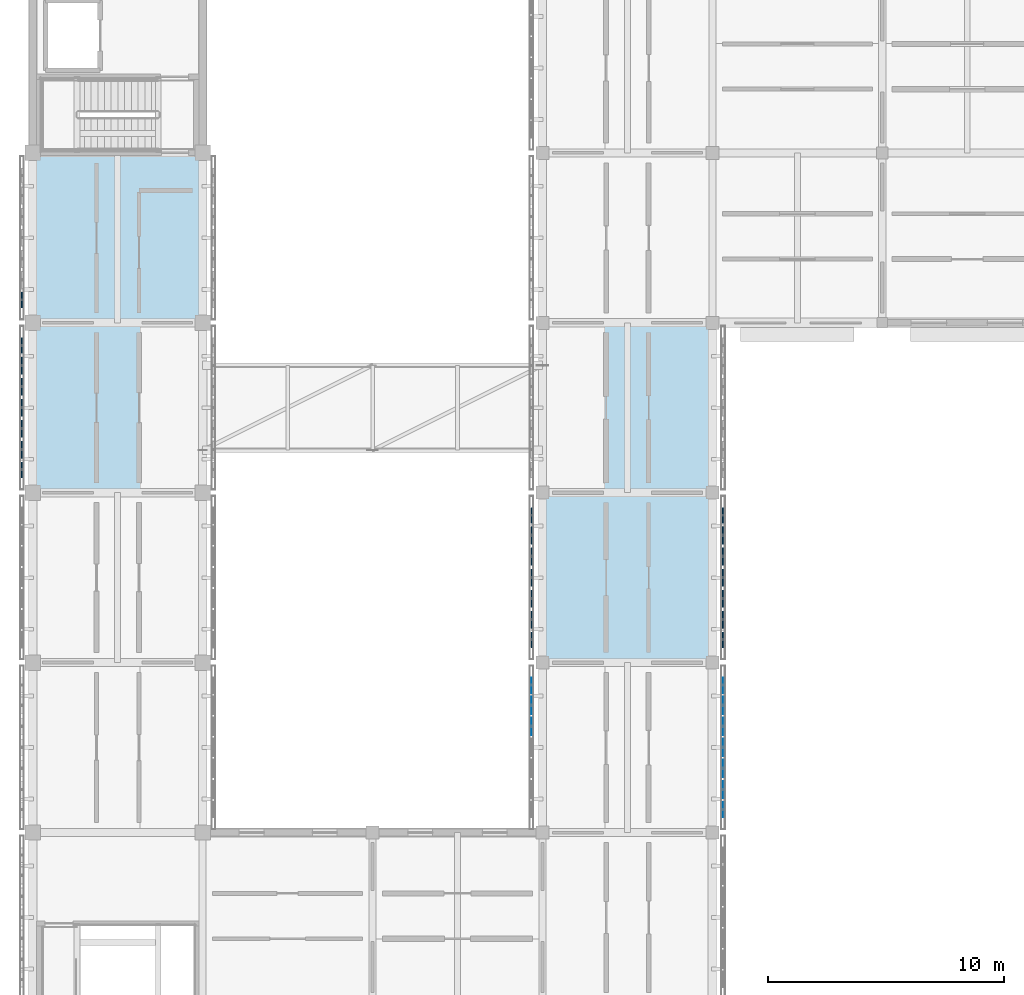
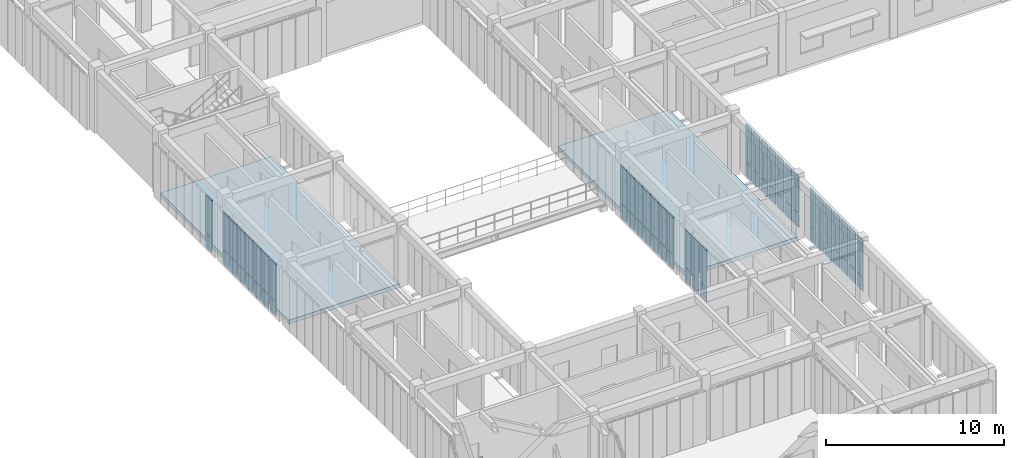
# One storey, part 50 of 91: 64 plates, 2 slabs, 6 elements without a shape of their own.
"""IFC4 building model written with IfcOpenShell, lengths in metres."""

from ifc_helpers import new_model, si_unit, direction, frame, origin, origin_2d, place, context, subcontext, project, spatial, polyline, rectangle, outline, extrude, material, layer, layer_set, type_object, element, aggregate, save


model = new_model("IFC4")

# Units and contexts
model_context = context("Model", 3, precision=1e-05, world=origin(), true_north=direction((0.0, 1.0)))
body_context = subcontext(model_context, "Body", "Model", "MODEL_VIEW")
ifc_project = project(units=[si_unit("LENGTHUNIT", "METRE"), si_unit("AREAUNIT", "SQUARE_METRE"), si_unit("VOLUMEUNIT", "CUBIC_METRE"), si_unit("PLANEANGLEUNIT", "RADIAN"), si_unit("MASSUNIT", "GRAM", prefix="KILO")], contexts=[model_context])

# Site, building, storey
site_placement = place(None, origin())
site = spatial("IfcSite", under=ifc_project, at=site_placement, CompositionType="ELEMENT")
building_placement = place(site_placement, origin())
building = spatial("IfcBuilding", under=site, at=building_placement, Name="Aldebral Square Health Centre", CompositionType="ELEMENT")
storey_placement = place(building_placement, frame((0.0, 0.0, 9.0)))
storey = spatial("IfcBuildingStorey", under=building, at=storey_placement, Name="L02", CompositionType="ELEMENT", Elevation=9.0)

# Curtain wall, plates
ifc_material_1 = material(Name="Aluminium and low-E solar glass", Category="aluminium")
curtain_wall_type = type_object("IfcCurtainWallType", Name="CW-FIN-SYS", PredefinedType="USERDEFINED", material=ifc_material_1)
curtain_wall_1_placement = place(storey_placement, origin())
curtain_wall_1 = element("IfcCurtainWall", 1, at=curtain_wall_1_placement, inside=storey, type_object=curtain_wall_type, Name="L02 V4 finned curtain wall L02-V4-03-09-W", ObjectType="SOLAR_CURTAIN_WALL", PredefinedType="USERDEFINED")
ifc_material_2 = material(Name="Solar-control low-E double glass", Category="glass")
ifc_layer_1 = layer(ifc_material_2, 0.030029296875, Name="Solar-control low-E double glass", Category="glass")
ifc_layer_set_1 = layer_set([ifc_layer_1], Name="Solar-control low-E double glass")
plate_type_1 = type_object("IfcPlateType", Name="CWP-GLZ-2", PredefinedType="CURTAIN_PANEL", material=ifc_layer_set_1)
plate_1_placement = place(storey_placement, frame((21.139892578125, 71.0341796875, 0.074951171875), z_axis=(0.0, 0.0, 1.0), x_axis=(0.0, -1.0, 0.0)))
plate_1 = element("IfcPlate", 2, at=plate_1_placement, type_object=plate_type_1, Name="CW1 panel 1.1", PredefinedType="CURTAIN_PANEL", context=body_context, shape_type="SweptSolid", body=[
    extrude(rectangle(XDim=0.6513671875, YDim=0.030029296875, at=origin_2d()), origin(), (0.0, 0.0, 1.0), 0.9375),
])
plate_2_placement = place(storey_placement, frame((21.139892578125, 71.0341796875, 1.08740234375), z_axis=(0.0, 0.0, 1.0), x_axis=(0.0, -1.0, 0.0)))
plate_2 = element("IfcPlate", 3, at=plate_2_placement, type_object=plate_type_1, Name="CW1 panel 1.2", PredefinedType="CURTAIN_PANEL", context=body_context, shape_type="SweptSolid", body=[
    extrude(rectangle(XDim=0.6513671875, YDim=0.030029296875, at=origin_2d()), origin(), (0.0, 0.0, 1.0), 2.527587890625),
])
plate_3_placement = place(storey_placement, frame((21.139892578125, 70.182861328125, 0.074951171875), z_axis=(0.0, 0.0, 1.0), x_axis=(0.0, -1.0, 0.0)))
plate_3 = element("IfcPlate", 4, at=plate_3_placement, type_object=plate_type_1, Name="CW1 panel 2.1", PredefinedType="CURTAIN_PANEL", context=body_context, shape_type="SweptSolid", body=[
    extrude(rectangle(XDim=0.7314453125, YDim=0.030029296875, at=origin_2d()), origin(), (0.0, 0.0, 1.0), 0.9375),
])
plate_4_placement = place(storey_placement, frame((21.139892578125, 70.182861328125, 1.08740234375), z_axis=(0.0, 0.0, 1.0), x_axis=(0.0, -1.0, 0.0)))
plate_4 = element("IfcPlate", 5, at=plate_4_placement, type_object=plate_type_1, Name="CW1 panel 2.2", PredefinedType="CURTAIN_PANEL", context=body_context, shape_type="SweptSolid", body=[
    extrude(rectangle(XDim=0.7314453125, YDim=0.030029296875, at=origin_2d()), origin(), (0.0, 0.0, 1.0), 2.527587890625),
])
plate_5_placement = place(storey_placement, frame((21.139892578125, 69.29150390625, 0.074951171875), z_axis=(0.0, 0.0, 1.0), x_axis=(0.0, -1.0, 0.0)))
plate_5 = element("IfcPlate", 6, at=plate_5_placement, type_object=plate_type_1, Name="CW1 panel 3.1", PredefinedType="CURTAIN_PANEL", context=body_context, shape_type="SweptSolid", body=[
    extrude(rectangle(XDim=0.7314453125, YDim=0.030029296875, at=origin_2d()), origin(), (0.0, 0.0, 1.0), 0.9375),
])
plate_6_placement = place(storey_placement, frame((21.139892578125, 69.29150390625, 1.08740234375), z_axis=(0.0, 0.0, 1.0), x_axis=(0.0, -1.0, 0.0)))
plate_6 = element("IfcPlate", 7, at=plate_6_placement, type_object=plate_type_1, Name="CW1 panel 3.2", PredefinedType="CURTAIN_PANEL", context=body_context, shape_type="SweptSolid", body=[
    extrude(rectangle(XDim=0.7314453125, YDim=0.030029296875, at=origin_2d()), origin(), (0.0, 0.0, 1.0), 2.527587890625),
])
aggregate(curtain_wall_1, [plate_1, plate_2, plate_3, plate_4, plate_5, plate_6])

curtain_wall_2_placement = place(storey_placement, origin())
curtain_wall_2 = element("IfcCurtainWall", 8, at=curtain_wall_2_placement, inside=storey, type_object=curtain_wall_type, Name="L02 V4 finned curtain wall L02-V4-03-09-E", ObjectType="SOLAR_CURTAIN_WALL", PredefinedType="USERDEFINED")
ifc_layer_2 = layer(ifc_material_2, 0.0400390625, Name="Solar-control low-E double glass", Category="glass")
ifc_layer_set_2 = layer_set([ifc_layer_2], Name="Solar-control low-E double glass")
plate_type_2 = type_object("IfcPlateType", Name="CWP-GLZ-3", PredefinedType="CURTAIN_PANEL", material=ifc_layer_set_2)
plate_7_placement = place(storey_placement, frame((29.260009765625, 65.765625, 0.074951171875), z_axis=(0.0, 0.0, 1.0), x_axis=(0.0, 1.0, 0.0)))
plate_7 = element("IfcPlate", 9, at=plate_7_placement, type_object=plate_type_2, Name="CW1 panel 1.1", PredefinedType="CURTAIN_PANEL", context=body_context, shape_type="SweptSolid", body=[
    extrude(rectangle(XDim=0.6513671875, YDim=0.0400390625, at=origin_2d()), origin(), (0.0, 0.0, 1.0), 0.9375),
])
plate_8_placement = place(storey_placement, frame((29.260009765625, 65.765625, 1.08740234375), z_axis=(0.0, 0.0, 1.0), x_axis=(0.0, 1.0, 0.0)))
plate_8 = element("IfcPlate", 10, at=plate_8_placement, type_object=plate_type_2, Name="CW1 panel 1.2", PredefinedType="CURTAIN_PANEL", context=body_context, shape_type="SweptSolid", body=[
    extrude(rectangle(XDim=0.6513671875, YDim=0.0400390625, at=origin_2d()), origin(), (0.0, 0.0, 1.0), 2.527587890625),
])
plate_9_placement = place(storey_placement, frame((29.260009765625, 66.6171875, 0.074951171875), z_axis=(0.0, 0.0, 1.0), x_axis=(0.0, 1.0, 0.0)))
plate_9 = element("IfcPlate", 11, at=plate_9_placement, type_object=plate_type_2, Name="CW1 panel 2.1", PredefinedType="CURTAIN_PANEL", context=body_context, shape_type="SweptSolid", body=[
    extrude(rectangle(XDim=0.7314453125, YDim=0.0400390625, at=origin_2d()), origin(), (0.0, 0.0, 1.0), 0.9375),
])
plate_10_placement = place(storey_placement, frame((29.260009765625, 66.6171875, 1.08740234375), z_axis=(0.0, 0.0, 1.0), x_axis=(0.0, 1.0, 0.0)))
plate_10 = element("IfcPlate", 12, at=plate_10_placement, type_object=plate_type_2, Name="CW1 panel 2.2", PredefinedType="CURTAIN_PANEL", context=body_context, shape_type="SweptSolid", body=[
    extrude(rectangle(XDim=0.7314453125, YDim=0.0400390625, at=origin_2d()), origin(), (0.0, 0.0, 1.0), 2.527587890625),
])
plate_11_placement = place(storey_placement, frame((29.260009765625, 67.508544921875, 0.074951171875), z_axis=(0.0, 0.0, 1.0), x_axis=(0.0, 1.0, 0.0)))
plate_11 = element("IfcPlate", 13, at=plate_11_placement, type_object=plate_type_2, Name="CW1 panel 3.1", PredefinedType="CURTAIN_PANEL", context=body_context, shape_type="SweptSolid", body=[
    extrude(rectangle(XDim=0.7314453125, YDim=0.0400390625, at=origin_2d()), origin(), (0.0, 0.0, 1.0), 0.9375),
])
plate_12_placement = place(storey_placement, frame((29.260009765625, 67.508544921875, 1.08740234375), z_axis=(0.0, 0.0, 1.0), x_axis=(0.0, 1.0, 0.0)))
plate_12 = element("IfcPlate", 14, at=plate_12_placement, type_object=plate_type_2, Name="CW1 panel 3.2", PredefinedType="CURTAIN_PANEL", context=body_context, shape_type="SweptSolid", body=[
    extrude(rectangle(XDim=0.7314453125, YDim=0.0400390625, at=origin_2d()), origin(), (0.0, 0.0, 1.0), 2.527587890625),
])
plate_13_placement = place(storey_placement, frame((29.260009765625, 68.39990234375, 0.074951171875), z_axis=(0.0, 0.0, 1.0), x_axis=(0.0, 1.0, 0.0)))
plate_13 = element("IfcPlate", 15, at=plate_13_placement, type_object=plate_type_2, Name="CW1 panel 4.1", PredefinedType="CURTAIN_PANEL", context=body_context, shape_type="SweptSolid", body=[
    extrude(rectangle(XDim=0.7314453125, YDim=0.0400390625, at=origin_2d()), origin(), (0.0, 0.0, 1.0), 0.9375),
])
plate_14_placement = place(storey_placement, frame((29.260009765625, 68.39990234375, 1.08740234375), z_axis=(0.0, 0.0, 1.0), x_axis=(0.0, 1.0, 0.0)))
plate_14 = element("IfcPlate", 16, at=plate_14_placement, type_object=plate_type_2, Name="CW1 panel 4.2", PredefinedType="CURTAIN_PANEL", context=body_context, shape_type="SweptSolid", body=[
    extrude(rectangle(XDim=0.7314453125, YDim=0.0400390625, at=origin_2d()), origin(), (0.0, 0.0, 1.0), 2.527587890625),
])
plate_15_placement = place(storey_placement, frame((29.260009765625, 69.29150390625, 0.074951171875), z_axis=(0.0, 0.0, 1.0), x_axis=(0.0, 1.0, 0.0)))
plate_15 = element("IfcPlate", 17, at=plate_15_placement, type_object=plate_type_2, Name="CW1 panel 5.1", PredefinedType="CURTAIN_PANEL", context=body_context, shape_type="SweptSolid", body=[
    extrude(rectangle(XDim=0.7314453125, YDim=0.0400390625, at=origin_2d()), origin(), (0.0, 0.0, 1.0), 0.9375),
])
plate_16_placement = place(storey_placement, frame((29.260009765625, 69.29150390625, 1.08740234375), z_axis=(0.0, 0.0, 1.0), x_axis=(0.0, 1.0, 0.0)))
plate_16 = element("IfcPlate", 18, at=plate_16_placement, type_object=plate_type_2, Name="CW1 panel 5.2", PredefinedType="CURTAIN_PANEL", context=body_context, shape_type="SweptSolid", body=[
    extrude(rectangle(XDim=0.7314453125, YDim=0.0400390625, at=origin_2d()), origin(), (0.0, 0.0, 1.0), 2.527587890625),
])
plate_17_placement = place(storey_placement, frame((29.260009765625, 70.182861328125, 0.074951171875), z_axis=(0.0, 0.0, 1.0), x_axis=(0.0, 1.0, 0.0)))
plate_17 = element("IfcPlate", 19, at=plate_17_placement, type_object=plate_type_2, Name="CW1 panel 6.1", PredefinedType="CURTAIN_PANEL", context=body_context, shape_type="SweptSolid", body=[
    extrude(rectangle(XDim=0.7314453125, YDim=0.0400390625, at=origin_2d()), origin(), (0.0, 0.0, 1.0), 0.9375),
])
plate_18_placement = place(storey_placement, frame((29.260009765625, 70.182861328125, 1.08740234375), z_axis=(0.0, 0.0, 1.0), x_axis=(0.0, 1.0, 0.0)))
plate_18 = element("IfcPlate", 20, at=plate_18_placement, type_object=plate_type_2, Name="CW1 panel 6.2", PredefinedType="CURTAIN_PANEL", context=body_context, shape_type="SweptSolid", body=[
    extrude(rectangle(XDim=0.7314453125, YDim=0.0400390625, at=origin_2d()), origin(), (0.0, 0.0, 1.0), 2.527587890625),
])
plate_19_placement = place(storey_placement, frame((29.260009765625, 71.0341796875, 0.074951171875), z_axis=(0.0, 0.0, 1.0), x_axis=(0.0, 1.0, 0.0)))
plate_19 = element("IfcPlate", 21, at=plate_19_placement, type_object=plate_type_2, Name="CW1 panel 7.1", PredefinedType="CURTAIN_PANEL", context=body_context, shape_type="SweptSolid", body=[
    extrude(rectangle(XDim=0.6513671875, YDim=0.0400390625, at=origin_2d()), origin(), (0.0, 0.0, 1.0), 0.9375),
])
plate_20_placement = place(storey_placement, frame((29.260009765625, 71.0341796875, 1.08740234375), z_axis=(0.0, 0.0, 1.0), x_axis=(0.0, 1.0, 0.0)))
plate_20 = element("IfcPlate", 22, at=plate_20_placement, type_object=plate_type_2, Name="CW1 panel 7.2", PredefinedType="CURTAIN_PANEL", context=body_context, shape_type="SweptSolid", body=[
    extrude(rectangle(XDim=0.6513671875, YDim=0.0400390625, at=origin_2d()), origin(), (0.0, 0.0, 1.0), 2.527587890625),
])
aggregate(curtain_wall_2, [plate_7, plate_8, plate_9, plate_10, plate_11, plate_12, plate_13, plate_14, plate_15, plate_16, plate_17, plate_18, plate_19, plate_20])

curtain_wall_3_placement = place(storey_placement, origin())
curtain_wall_3 = element("IfcCurtainWall", 23, at=curtain_wall_3_placement, inside=storey, type_object=curtain_wall_type, Name="L02 V4 finned curtain wall L02-V4-00-11-W", ObjectType="SOLAR_CURTAIN_WALL", PredefinedType="USERDEFINED")
ifc_layer_3 = layer(ifc_material_2, 0.050048828125, Name="Solar-control low-E double glass", Category="glass")
ifc_layer_set_3 = layer_set([ifc_layer_3], Name="Solar-control low-E double glass")
plate_type_3 = type_object("IfcPlateType", Name="CWP-GLZ-4", PredefinedType="CURTAIN_PANEL", material=ifc_layer_set_3)
plate_21_placement = place(storey_placement, frame((-0.4599609375, 85.434326171875, 0.074951171875), z_axis=(0.0, 0.0, 1.0), x_axis=(0.0, -1.0, 0.0)))
plate_21 = element("IfcPlate", 24, at=plate_21_placement, type_object=plate_type_3, Name="CW1 panel 1.1", PredefinedType="CURTAIN_PANEL", context=body_context, shape_type="SweptSolid", body=[
    extrude(rectangle(XDim=0.6513671875, YDim=0.050048828125, at=origin_2d()), origin(), (0.0, 0.0, 1.0), 0.9375),
])
plate_22_placement = place(storey_placement, frame((-0.4599609375, 85.434326171875, 1.08740234375), z_axis=(0.0, 0.0, 1.0), x_axis=(0.0, -1.0, 0.0)))
plate_22 = element("IfcPlate", 25, at=plate_22_placement, type_object=plate_type_3, Name="CW1 panel 1.2", PredefinedType="CURTAIN_PANEL", context=body_context, shape_type="SweptSolid", body=[
    extrude(rectangle(XDim=0.6513671875, YDim=0.050048828125, at=origin_2d()), origin(), (0.0, 0.0, 1.0), 2.527587890625),
])
plate_23_placement = place(storey_placement, frame((-0.4599609375, 84.582763671875, 0.074951171875), z_axis=(0.0, 0.0, 1.0), x_axis=(0.0, -1.0, 0.0)))
plate_23 = element("IfcPlate", 26, at=plate_23_placement, type_object=plate_type_3, Name="CW1 panel 2.1", PredefinedType="CURTAIN_PANEL", context=body_context, shape_type="SweptSolid", body=[
    extrude(rectangle(XDim=0.7314453125, YDim=0.050048828125, at=origin_2d()), origin(), (0.0, 0.0, 1.0), 0.9375),
])
plate_24_placement = place(storey_placement, frame((-0.4599609375, 84.582763671875, 1.08740234375), z_axis=(0.0, 0.0, 1.0), x_axis=(0.0, -1.0, 0.0)))
plate_24 = element("IfcPlate", 27, at=plate_24_placement, type_object=plate_type_3, Name="CW1 panel 2.2", PredefinedType="CURTAIN_PANEL", context=body_context, shape_type="SweptSolid", body=[
    extrude(rectangle(XDim=0.7314453125, YDim=0.050048828125, at=origin_2d()), origin(), (0.0, 0.0, 1.0), 2.527587890625),
])
plate_25_placement = place(storey_placement, frame((-0.4599609375, 83.69140625, 0.074951171875), z_axis=(0.0, 0.0, 1.0), x_axis=(0.0, -1.0, 0.0)))
plate_25 = element("IfcPlate", 28, at=plate_25_placement, type_object=plate_type_3, Name="CW1 panel 3.1", PredefinedType="CURTAIN_PANEL", context=body_context, shape_type="SweptSolid", body=[
    extrude(rectangle(XDim=0.7314453125, YDim=0.050048828125, at=origin_2d()), origin(), (0.0, 0.0, 1.0), 0.9375),
])
plate_26_placement = place(storey_placement, frame((-0.4599609375, 83.69140625, 1.08740234375), z_axis=(0.0, 0.0, 1.0), x_axis=(0.0, -1.0, 0.0)))
plate_26 = element("IfcPlate", 29, at=plate_26_placement, type_object=plate_type_3, Name="CW1 panel 3.2", PredefinedType="CURTAIN_PANEL", context=body_context, shape_type="SweptSolid", body=[
    extrude(rectangle(XDim=0.7314453125, YDim=0.050048828125, at=origin_2d()), origin(), (0.0, 0.0, 1.0), 2.527587890625),
])
plate_27_placement = place(storey_placement, frame((-0.4599609375, 82.800048828125, 0.074951171875), z_axis=(0.0, 0.0, 1.0), x_axis=(0.0, -1.0, 0.0)))
plate_27 = element("IfcPlate", 30, at=plate_27_placement, type_object=plate_type_3, Name="CW1 panel 4.1", PredefinedType="CURTAIN_PANEL", context=body_context, shape_type="SweptSolid", body=[
    extrude(rectangle(XDim=0.7314453125, YDim=0.050048828125, at=origin_2d()), origin(), (0.0, 0.0, 1.0), 0.9375),
])
plate_28_placement = place(storey_placement, frame((-0.4599609375, 82.800048828125, 1.08740234375), z_axis=(0.0, 0.0, 1.0), x_axis=(0.0, -1.0, 0.0)))
plate_28 = element("IfcPlate", 31, at=plate_28_placement, type_object=plate_type_3, Name="CW1 panel 4.2", PredefinedType="CURTAIN_PANEL", context=body_context, shape_type="SweptSolid", body=[
    extrude(rectangle(XDim=0.7314453125, YDim=0.050048828125, at=origin_2d()), origin(), (0.0, 0.0, 1.0), 2.527587890625),
])
plate_29_placement = place(storey_placement, frame((-0.4599609375, 81.90869140625, 0.074951171875), z_axis=(0.0, 0.0, 1.0), x_axis=(0.0, -1.0, 0.0)))
plate_29 = element("IfcPlate", 32, at=plate_29_placement, type_object=plate_type_3, Name="CW1 panel 5.1", PredefinedType="CURTAIN_PANEL", context=body_context, shape_type="SweptSolid", body=[
    extrude(rectangle(XDim=0.7314453125, YDim=0.050048828125, at=origin_2d()), origin(), (0.0, 0.0, 1.0), 0.9375),
])
plate_30_placement = place(storey_placement, frame((-0.4599609375, 81.90869140625, 1.08740234375), z_axis=(0.0, 0.0, 1.0), x_axis=(0.0, -1.0, 0.0)))
plate_30 = element("IfcPlate", 33, at=plate_30_placement, type_object=plate_type_3, Name="CW1 panel 5.2", PredefinedType="CURTAIN_PANEL", context=body_context, shape_type="SweptSolid", body=[
    extrude(rectangle(XDim=0.7314453125, YDim=0.050048828125, at=origin_2d()), origin(), (0.0, 0.0, 1.0), 2.527587890625),
])
plate_31_placement = place(storey_placement, frame((-0.4599609375, 81.01708984375, 0.074951171875), z_axis=(0.0, 0.0, 1.0), x_axis=(0.0, -1.0, 0.0)))
plate_31 = element("IfcPlate", 34, at=plate_31_placement, type_object=plate_type_3, Name="CW1 panel 6.1", PredefinedType="CURTAIN_PANEL", context=body_context, shape_type="SweptSolid", body=[
    extrude(rectangle(XDim=0.7314453125, YDim=0.050048828125, at=origin_2d()), origin(), (0.0, 0.0, 1.0), 0.9375),
])
plate_32_placement = place(storey_placement, frame((-0.4599609375, 81.01708984375, 1.08740234375), z_axis=(0.0, 0.0, 1.0), x_axis=(0.0, -1.0, 0.0)))
plate_32 = element("IfcPlate", 35, at=plate_32_placement, type_object=plate_type_3, Name="CW1 panel 6.2", PredefinedType="CURTAIN_PANEL", context=body_context, shape_type="SweptSolid", body=[
    extrude(rectangle(XDim=0.7314453125, YDim=0.050048828125, at=origin_2d()), origin(), (0.0, 0.0, 1.0), 2.527587890625),
])
plate_33_placement = place(storey_placement, frame((-0.4599609375, 80.165771484375, 0.074951171875), z_axis=(0.0, 0.0, 1.0), x_axis=(0.0, -1.0, 0.0)))
plate_33 = element("IfcPlate", 36, at=plate_33_placement, type_object=plate_type_3, Name="CW1 panel 7.1", PredefinedType="CURTAIN_PANEL", context=body_context, shape_type="SweptSolid", body=[
    extrude(rectangle(XDim=0.6513671875, YDim=0.050048828125, at=origin_2d()), origin(), (0.0, 0.0, 1.0), 0.9375),
])
plate_34_placement = place(storey_placement, frame((-0.4599609375, 80.165771484375, 1.08740234375), z_axis=(0.0, 0.0, 1.0), x_axis=(0.0, -1.0, 0.0)))
plate_34 = element("IfcPlate", 37, at=plate_34_placement, type_object=plate_type_3, Name="CW1 panel 7.2", PredefinedType="CURTAIN_PANEL", context=body_context, shape_type="SweptSolid", body=[
    extrude(rectangle(XDim=0.6513671875, YDim=0.050048828125, at=origin_2d()), origin(), (0.0, 0.0, 1.0), 2.527587890625),
])
aggregate(curtain_wall_3, [plate_21, plate_22, plate_23, plate_24, plate_25, plate_26, plate_27, plate_28, plate_29, plate_30, plate_31, plate_32, plate_33, plate_34])

curtain_wall_4_placement = place(storey_placement, origin())
curtain_wall_4 = element("IfcCurtainWall", 38, at=curtain_wall_4_placement, inside=storey, type_object=curtain_wall_type, Name="L02 V4 finned curtain wall L02-V4-03-10-W", ObjectType="SOLAR_CURTAIN_WALL", PredefinedType="USERDEFINED")
plate_35_placement = place(storey_placement, frame((21.139892578125, 78.234375, 0.074951171875), z_axis=(0.0, 0.0, 1.0), x_axis=(0.0, -1.0, 0.0)))
plate_35 = element("IfcPlate", 39, at=plate_35_placement, type_object=plate_type_3, Name="CW1 panel 1.1", PredefinedType="CURTAIN_PANEL", context=body_context, shape_type="SweptSolid", body=[
    extrude(rectangle(XDim=0.6513671875, YDim=0.050048828125, at=origin_2d()), origin(), (0.0, 0.0, 1.0), 0.9375),
])
plate_36_placement = place(storey_placement, frame((21.139892578125, 78.234375, 1.08740234375), z_axis=(0.0, 0.0, 1.0), x_axis=(0.0, -1.0, 0.0)))
plate_36 = element("IfcPlate", 40, at=plate_36_placement, type_object=plate_type_3, Name="CW1 panel 1.2", PredefinedType="CURTAIN_PANEL", context=body_context, shape_type="SweptSolid", body=[
    extrude(rectangle(XDim=0.6513671875, YDim=0.050048828125, at=origin_2d()), origin(), (0.0, 0.0, 1.0), 2.527587890625),
])
plate_37_placement = place(storey_placement, frame((21.139892578125, 77.3828125, 0.074951171875), z_axis=(0.0, 0.0, 1.0), x_axis=(0.0, -1.0, 0.0)))
plate_37 = element("IfcPlate", 41, at=plate_37_placement, type_object=plate_type_3, Name="CW1 panel 2.1", PredefinedType="CURTAIN_PANEL", context=body_context, shape_type="SweptSolid", body=[
    extrude(rectangle(XDim=0.7314453125, YDim=0.050048828125, at=origin_2d()), origin(), (0.0, 0.0, 1.0), 0.9375),
])
plate_38_placement = place(storey_placement, frame((21.139892578125, 77.3828125, 1.08740234375), z_axis=(0.0, 0.0, 1.0), x_axis=(0.0, -1.0, 0.0)))
plate_38 = element("IfcPlate", 42, at=plate_38_placement, type_object=plate_type_3, Name="CW1 panel 2.2", PredefinedType="CURTAIN_PANEL", context=body_context, shape_type="SweptSolid", body=[
    extrude(rectangle(XDim=0.7314453125, YDim=0.050048828125, at=origin_2d()), origin(), (0.0, 0.0, 1.0), 2.527587890625),
])
plate_39_placement = place(storey_placement, frame((21.139892578125, 76.491455078125, 0.074951171875), z_axis=(0.0, 0.0, 1.0), x_axis=(0.0, -1.0, 0.0)))
plate_39 = element("IfcPlate", 43, at=plate_39_placement, type_object=plate_type_3, Name="CW1 panel 3.1", PredefinedType="CURTAIN_PANEL", context=body_context, shape_type="SweptSolid", body=[
    extrude(rectangle(XDim=0.7314453125, YDim=0.050048828125, at=origin_2d()), origin(), (0.0, 0.0, 1.0), 0.9375),
])
plate_40_placement = place(storey_placement, frame((21.139892578125, 76.491455078125, 1.08740234375), z_axis=(0.0, 0.0, 1.0), x_axis=(0.0, -1.0, 0.0)))
plate_40 = element("IfcPlate", 44, at=plate_40_placement, type_object=plate_type_3, Name="CW1 panel 3.2", PredefinedType="CURTAIN_PANEL", context=body_context, shape_type="SweptSolid", body=[
    extrude(rectangle(XDim=0.7314453125, YDim=0.050048828125, at=origin_2d()), origin(), (0.0, 0.0, 1.0), 2.527587890625),
])
plate_41_placement = place(storey_placement, frame((21.139892578125, 75.60009765625, 0.074951171875), z_axis=(0.0, 0.0, 1.0), x_axis=(0.0, -1.0, 0.0)))
plate_41 = element("IfcPlate", 45, at=plate_41_placement, type_object=plate_type_3, Name="CW1 panel 4.1", PredefinedType="CURTAIN_PANEL", context=body_context, shape_type="SweptSolid", body=[
    extrude(rectangle(XDim=0.7314453125, YDim=0.050048828125, at=origin_2d()), origin(), (0.0, 0.0, 1.0), 0.9375),
])
plate_42_placement = place(storey_placement, frame((21.139892578125, 75.60009765625, 1.08740234375), z_axis=(0.0, 0.0, 1.0), x_axis=(0.0, -1.0, 0.0)))
plate_42 = element("IfcPlate", 46, at=plate_42_placement, type_object=plate_type_3, Name="CW1 panel 4.2", PredefinedType="CURTAIN_PANEL", context=body_context, shape_type="SweptSolid", body=[
    extrude(rectangle(XDim=0.7314453125, YDim=0.050048828125, at=origin_2d()), origin(), (0.0, 0.0, 1.0), 2.527587890625),
])
plate_43_placement = place(storey_placement, frame((21.139892578125, 74.70849609375, 0.074951171875), z_axis=(0.0, 0.0, 1.0), x_axis=(0.0, -1.0, 0.0)))
plate_43 = element("IfcPlate", 47, at=plate_43_placement, type_object=plate_type_3, Name="CW1 panel 5.1", PredefinedType="CURTAIN_PANEL", context=body_context, shape_type="SweptSolid", body=[
    extrude(rectangle(XDim=0.7314453125, YDim=0.050048828125, at=origin_2d()), origin(), (0.0, 0.0, 1.0), 0.9375),
])
plate_44_placement = place(storey_placement, frame((21.139892578125, 74.70849609375, 1.08740234375), z_axis=(0.0, 0.0, 1.0), x_axis=(0.0, -1.0, 0.0)))
plate_44 = element("IfcPlate", 48, at=plate_44_placement, type_object=plate_type_3, Name="CW1 panel 5.2", PredefinedType="CURTAIN_PANEL", context=body_context, shape_type="SweptSolid", body=[
    extrude(rectangle(XDim=0.7314453125, YDim=0.050048828125, at=origin_2d()), origin(), (0.0, 0.0, 1.0), 2.527587890625),
])
plate_45_placement = place(storey_placement, frame((21.139892578125, 73.817138671875, 0.074951171875), z_axis=(0.0, 0.0, 1.0), x_axis=(0.0, -1.0, 0.0)))
plate_45 = element("IfcPlate", 49, at=plate_45_placement, type_object=plate_type_3, Name="CW1 panel 6.1", PredefinedType="CURTAIN_PANEL", context=body_context, shape_type="SweptSolid", body=[
    extrude(rectangle(XDim=0.7314453125, YDim=0.050048828125, at=origin_2d()), origin(), (0.0, 0.0, 1.0), 0.9375),
])
plate_46_placement = place(storey_placement, frame((21.139892578125, 73.817138671875, 1.08740234375), z_axis=(0.0, 0.0, 1.0), x_axis=(0.0, -1.0, 0.0)))
plate_46 = element("IfcPlate", 50, at=plate_46_placement, type_object=plate_type_3, Name="CW1 panel 6.2", PredefinedType="CURTAIN_PANEL", context=body_context, shape_type="SweptSolid", body=[
    extrude(rectangle(XDim=0.7314453125, YDim=0.050048828125, at=origin_2d()), origin(), (0.0, 0.0, 1.0), 2.527587890625),
])
plate_47_placement = place(storey_placement, frame((21.139892578125, 72.9658203125, 0.074951171875), z_axis=(0.0, 0.0, 1.0), x_axis=(0.0, -1.0, 0.0)))
plate_47 = element("IfcPlate", 51, at=plate_47_placement, type_object=plate_type_3, Name="CW1 panel 7.1", PredefinedType="CURTAIN_PANEL", context=body_context, shape_type="SweptSolid", body=[
    extrude(rectangle(XDim=0.6513671875, YDim=0.050048828125, at=origin_2d()), origin(), (0.0, 0.0, 1.0), 0.9375),
])
plate_48_placement = place(storey_placement, frame((21.139892578125, 72.9658203125, 1.08740234375), z_axis=(0.0, 0.0, 1.0), x_axis=(0.0, -1.0, 0.0)))
plate_48 = element("IfcPlate", 52, at=plate_48_placement, type_object=plate_type_3, Name="CW1 panel 7.2", PredefinedType="CURTAIN_PANEL", context=body_context, shape_type="SweptSolid", body=[
    extrude(rectangle(XDim=0.6513671875, YDim=0.050048828125, at=origin_2d()), origin(), (0.0, 0.0, 1.0), 2.527587890625),
])
aggregate(curtain_wall_4, [plate_35, plate_36, plate_37, plate_38, plate_39, plate_40, plate_41, plate_42, plate_43, plate_44, plate_45, plate_46, plate_47, plate_48])

curtain_wall_5_placement = place(storey_placement, origin())
curtain_wall_5 = element("IfcCurtainWall", 53, at=curtain_wall_5_placement, inside=storey, type_object=curtain_wall_type, Name="L02 V4 finned curtain wall L02-V4-03-10-E", ObjectType="SOLAR_CURTAIN_WALL", PredefinedType="USERDEFINED")
ifc_layer_4 = layer(ifc_material_2, 0.06005859375, Name="Solar-control low-E double glass", Category="glass")
ifc_layer_set_4 = layer_set([ifc_layer_4], Name="Solar-control low-E double glass")
plate_type_4 = type_object("IfcPlateType", Name="CWP-GLZ-5", PredefinedType="CURTAIN_PANEL", material=ifc_layer_set_4)
plate_49_placement = place(storey_placement, frame((29.260009765625, 72.9658203125, 0.074951171875), z_axis=(0.0, 0.0, 1.0), x_axis=(0.0, 1.0, 0.0)))
plate_49 = element("IfcPlate", 54, at=plate_49_placement, type_object=plate_type_4, Name="CW1 panel 1.1", PredefinedType="CURTAIN_PANEL", context=body_context, shape_type="SweptSolid", body=[
    extrude(rectangle(XDim=0.6513671875, YDim=0.06005859375, at=origin_2d()), origin(), (0.0, 0.0, 1.0), 0.9375),
])
plate_50_placement = place(storey_placement, frame((29.260009765625, 72.9658203125, 1.08740234375), z_axis=(0.0, 0.0, 1.0), x_axis=(0.0, 1.0, 0.0)))
plate_50 = element("IfcPlate", 55, at=plate_50_placement, type_object=plate_type_4, Name="CW1 panel 1.2", PredefinedType="CURTAIN_PANEL", context=body_context, shape_type="SweptSolid", body=[
    extrude(rectangle(XDim=0.6513671875, YDim=0.06005859375, at=origin_2d()), origin(), (0.0, 0.0, 1.0), 2.527587890625),
])
plate_51_placement = place(storey_placement, frame((29.260009765625, 73.817138671875, 0.074951171875), z_axis=(0.0, 0.0, 1.0), x_axis=(0.0, 1.0, 0.0)))
plate_51 = element("IfcPlate", 56, at=plate_51_placement, type_object=plate_type_4, Name="CW1 panel 2.1", PredefinedType="CURTAIN_PANEL", context=body_context, shape_type="SweptSolid", body=[
    extrude(rectangle(XDim=0.7314453125, YDim=0.06005859375, at=origin_2d()), origin(), (0.0, 0.0, 1.0), 0.9375),
])
plate_52_placement = place(storey_placement, frame((29.260009765625, 73.817138671875, 1.08740234375), z_axis=(0.0, 0.0, 1.0), x_axis=(0.0, 1.0, 0.0)))
plate_52 = element("IfcPlate", 57, at=plate_52_placement, type_object=plate_type_4, Name="CW1 panel 2.2", PredefinedType="CURTAIN_PANEL", context=body_context, shape_type="SweptSolid", body=[
    extrude(rectangle(XDim=0.7314453125, YDim=0.06005859375, at=origin_2d()), origin(), (0.0, 0.0, 1.0), 2.527587890625),
])
plate_53_placement = place(storey_placement, frame((29.260009765625, 74.70849609375, 0.074951171875), z_axis=(0.0, 0.0, 1.0), x_axis=(0.0, 1.0, 0.0)))
plate_53 = element("IfcPlate", 58, at=plate_53_placement, type_object=plate_type_4, Name="CW1 panel 3.1", PredefinedType="CURTAIN_PANEL", context=body_context, shape_type="SweptSolid", body=[
    extrude(rectangle(XDim=0.7314453125, YDim=0.06005859375, at=origin_2d()), origin(), (0.0, 0.0, 1.0), 0.9375),
])
plate_54_placement = place(storey_placement, frame((29.260009765625, 74.70849609375, 1.08740234375), z_axis=(0.0, 0.0, 1.0), x_axis=(0.0, 1.0, 0.0)))
plate_54 = element("IfcPlate", 59, at=plate_54_placement, type_object=plate_type_4, Name="CW1 panel 3.2", PredefinedType="CURTAIN_PANEL", context=body_context, shape_type="SweptSolid", body=[
    extrude(rectangle(XDim=0.7314453125, YDim=0.06005859375, at=origin_2d()), origin(), (0.0, 0.0, 1.0), 2.527587890625),
])
plate_55_placement = place(storey_placement, frame((29.260009765625, 75.60009765625, 0.074951171875), z_axis=(0.0, 0.0, 1.0), x_axis=(0.0, 1.0, 0.0)))
plate_55 = element("IfcPlate", 60, at=plate_55_placement, type_object=plate_type_4, Name="CW1 panel 4.1", PredefinedType="CURTAIN_PANEL", context=body_context, shape_type="SweptSolid", body=[
    extrude(rectangle(XDim=0.7314453125, YDim=0.06005859375, at=origin_2d()), origin(), (0.0, 0.0, 1.0), 0.9375),
])
plate_56_placement = place(storey_placement, frame((29.260009765625, 75.60009765625, 1.08740234375), z_axis=(0.0, 0.0, 1.0), x_axis=(0.0, 1.0, 0.0)))
plate_56 = element("IfcPlate", 61, at=plate_56_placement, type_object=plate_type_4, Name="CW1 panel 4.2", PredefinedType="CURTAIN_PANEL", context=body_context, shape_type="SweptSolid", body=[
    extrude(rectangle(XDim=0.7314453125, YDim=0.06005859375, at=origin_2d()), origin(), (0.0, 0.0, 1.0), 2.527587890625),
])
plate_57_placement = place(storey_placement, frame((29.260009765625, 76.491455078125, 0.074951171875), z_axis=(0.0, 0.0, 1.0), x_axis=(0.0, 1.0, 0.0)))
plate_57 = element("IfcPlate", 62, at=plate_57_placement, type_object=plate_type_4, Name="CW1 panel 5.1", PredefinedType="CURTAIN_PANEL", context=body_context, shape_type="SweptSolid", body=[
    extrude(rectangle(XDim=0.7314453125, YDim=0.06005859375, at=origin_2d()), origin(), (0.0, 0.0, 1.0), 0.9375),
])
plate_58_placement = place(storey_placement, frame((29.260009765625, 76.491455078125, 1.08740234375), z_axis=(0.0, 0.0, 1.0), x_axis=(0.0, 1.0, 0.0)))
plate_58 = element("IfcPlate", 63, at=plate_58_placement, type_object=plate_type_4, Name="CW1 panel 5.2", PredefinedType="CURTAIN_PANEL", context=body_context, shape_type="SweptSolid", body=[
    extrude(rectangle(XDim=0.7314453125, YDim=0.06005859375, at=origin_2d()), origin(), (0.0, 0.0, 1.0), 2.527587890625),
])
plate_59_placement = place(storey_placement, frame((29.260009765625, 77.3828125, 0.074951171875), z_axis=(0.0, 0.0, 1.0), x_axis=(0.0, 1.0, 0.0)))
plate_59 = element("IfcPlate", 64, at=plate_59_placement, type_object=plate_type_4, Name="CW1 panel 6.1", PredefinedType="CURTAIN_PANEL", context=body_context, shape_type="SweptSolid", body=[
    extrude(rectangle(XDim=0.7314453125, YDim=0.06005859375, at=origin_2d()), origin(), (0.0, 0.0, 1.0), 0.9375),
])
plate_60_placement = place(storey_placement, frame((29.260009765625, 77.3828125, 1.08740234375), z_axis=(0.0, 0.0, 1.0), x_axis=(0.0, 1.0, 0.0)))
plate_60 = element("IfcPlate", 65, at=plate_60_placement, type_object=plate_type_4, Name="CW1 panel 6.2", PredefinedType="CURTAIN_PANEL", context=body_context, shape_type="SweptSolid", body=[
    extrude(rectangle(XDim=0.7314453125, YDim=0.06005859375, at=origin_2d()), origin(), (0.0, 0.0, 1.0), 2.527587890625),
])
plate_61_placement = place(storey_placement, frame((29.260009765625, 78.234375, 0.074951171875), z_axis=(0.0, 0.0, 1.0), x_axis=(0.0, 1.0, 0.0)))
plate_61 = element("IfcPlate", 66, at=plate_61_placement, type_object=plate_type_4, Name="CW1 panel 7.1", PredefinedType="CURTAIN_PANEL", context=body_context, shape_type="SweptSolid", body=[
    extrude(rectangle(XDim=0.6513671875, YDim=0.06005859375, at=origin_2d()), origin(), (0.0, 0.0, 1.0), 0.9375),
])
plate_62_placement = place(storey_placement, frame((29.260009765625, 78.234375, 1.08740234375), z_axis=(0.0, 0.0, 1.0), x_axis=(0.0, 1.0, 0.0)))
plate_62 = element("IfcPlate", 67, at=plate_62_placement, type_object=plate_type_4, Name="CW1 panel 7.2", PredefinedType="CURTAIN_PANEL", context=body_context, shape_type="SweptSolid", body=[
    extrude(rectangle(XDim=0.6513671875, YDim=0.06005859375, at=origin_2d()), origin(), (0.0, 0.0, 1.0), 2.527587890625),
])
aggregate(curtain_wall_5, [plate_49, plate_50, plate_51, plate_52, plate_53, plate_54, plate_55, plate_56, plate_57, plate_58, plate_59, plate_60, plate_61, plate_62])

curtain_wall_6_placement = place(storey_placement, origin())
curtain_wall_6 = element("IfcCurtainWall", 68, at=curtain_wall_6_placement, inside=storey, type_object=curtain_wall_type, Name="L02 V4 finned curtain wall L02-V4-00-12-W", ObjectType="SOLAR_CURTAIN_WALL", PredefinedType="USERDEFINED")
ifc_layer_5 = layer(ifc_material_2, 0.070068359375, Name="Solar-control low-E double glass", Category="glass")
ifc_layer_set_5 = layer_set([ifc_layer_5], Name="Solar-control low-E double glass")
plate_type_5 = type_object("IfcPlateType", Name="CWP-GLZ-6", PredefinedType="CURTAIN_PANEL", material=ifc_layer_set_5)
plate_63_placement = place(storey_placement, frame((-0.4599609375, 87.36572265625, 0.074951171875), z_axis=(0.0, 0.0, 1.0), x_axis=(0.0, -1.0, 0.0)))
plate_63 = element("IfcPlate", 69, at=plate_63_placement, type_object=plate_type_5, Name="CW1 panel 7.1", PredefinedType="CURTAIN_PANEL", context=body_context, shape_type="SweptSolid", body=[
    extrude(rectangle(XDim=0.6513671875, YDim=0.070068359375, at=origin_2d()), origin(), (0.0, 0.0, 1.0), 0.9375),
])
plate_64_placement = place(storey_placement, frame((-0.4599609375, 87.36572265625, 1.08740234375), z_axis=(0.0, 0.0, 1.0), x_axis=(0.0, -1.0, 0.0)))
plate_64 = element("IfcPlate", 70, at=plate_64_placement, type_object=plate_type_5, Name="CW1 panel 7.2", PredefinedType="CURTAIN_PANEL", context=body_context, shape_type="SweptSolid", body=[
    extrude(rectangle(XDim=0.6513671875, YDim=0.070068359375, at=origin_2d()), origin(), (0.0, 0.0, 1.0), 2.527587890625),
])
aggregate(curtain_wall_6, [plate_63, plate_64])

# Slabs
ifc_material_3 = material(Name="Concrete C35/45", Category="concrete")
ifc_layer_6 = layer(ifc_material_3, 0.260009765625, Name="Concrete C35/45", Category="concrete")
ifc_layer_set_6 = layer_set([ifc_layer_6], Name="Concrete C35/45")
slab_type = type_object("IfcSlabType", Name="SL-FLR-260", PredefinedType="FLOOR", material=ifc_layer_set_6)
slab_1_placement = place(storey_placement, frame((0.0, 0.0, -0.260009765625)))
element("IfcSlab", 71, at=slab_1_placement, inside=storey, type_object=slab_type, Name="L02 V4 floor slab 3", PredefinedType="FLOOR", context=body_context, shape_type="SweptSolid", body=[
    extrude(outline(polyline([(0.0, 79.199951171875), (0.0, 86.39990234375), (0.0, 93.60009765625), (7.199951171875, 93.60009765625), (7.199951171875, 86.39990234375), (7.199951171875, 79.199951171875), (0.0, 79.199951171875)])), origin(), (0.0, 0.0, 1.0), 0.260009765625),
])
slab_2_placement = place(storey_placement, frame((0.0, 0.0, -0.260009765625)))
element("IfcSlab", 72, at=slab_2_placement, inside=storey, type_object=slab_type, Name="L02 V4 floor slab 9", PredefinedType="FLOOR", context=body_context, shape_type="SweptSolid", body=[
    extrude(outline(polyline([(21.60009765625, 72.0), (21.60009765625, 79.199951171875), (21.60009765625, 86.39990234375), (28.800048828125, 86.39990234375), (28.800048828125, 79.199951171875), (28.800048828125, 72.0), (21.60009765625, 72.0)])), origin(), (0.0, 0.0, 1.0), 0.260009765625),
])

save(model, "model.ifc")
